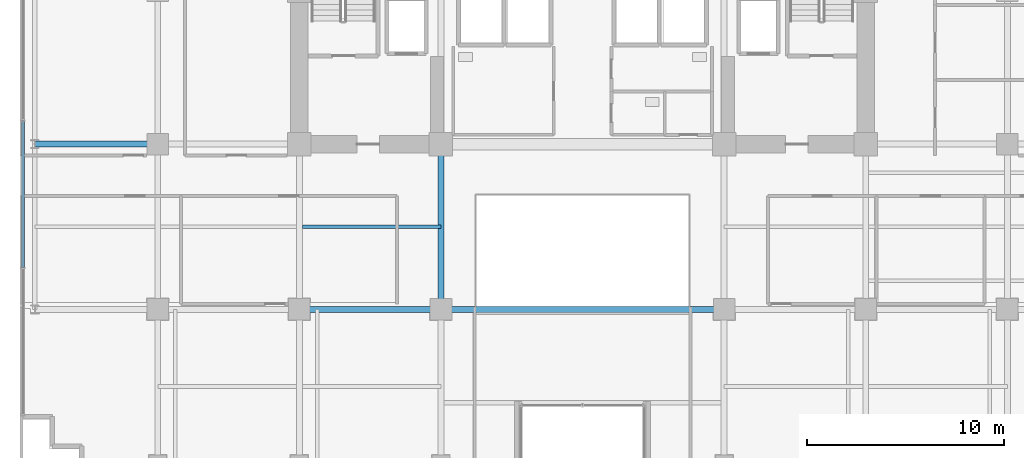
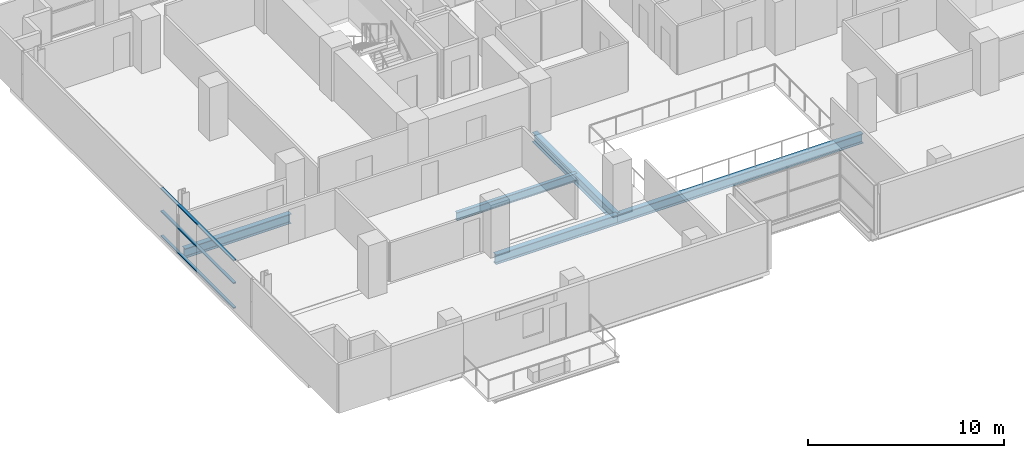
# One storey, part 7 of 27: 5 beams, 3 members, 1 element without a shape of its own.
"""IFC4 building model written with IfcOpenShell, lengths in metres."""

from ifc_helpers import new_model, si_unit, direction, frame, origin, origin_2d, place, context, subcontext, project, spatial, hollow_rectangle, i_section, extrude, source, transform, mapped, material, layer, layer_set, material_profile, profile_set, type_object, element, aggregate, save


model = new_model("IFC4")

# Units and contexts
model_context = context("Model", 3, precision=1e-05, world=origin(), true_north=direction((0.0, 1.0)))
body_context = subcontext(model_context, "Body", "Model", "MODEL_VIEW")
ifc_project = project(units=[si_unit("LENGTHUNIT", "METRE"), si_unit("AREAUNIT", "SQUARE_METRE"), si_unit("VOLUMEUNIT", "CUBIC_METRE"), si_unit("PLANEANGLEUNIT", "RADIAN"), si_unit("MASSUNIT", "GRAM", prefix="KILO")], contexts=[model_context])

# Site, building, storey
site_placement = place(None, origin())
site = spatial("IfcSite", under=ifc_project, at=site_placement, CompositionType="ELEMENT")
building_placement = place(site_placement, origin())
building = spatial("IfcBuilding", under=site, at=building_placement, Name="Zarnakvel Exchange Tower", CompositionType="ELEMENT")
storey_placement = place(building_placement, frame((0.0, 0.0, 76.89990234375)))
storey = spatial("IfcBuildingStorey", under=building, at=storey_placement, Name="L21", CompositionType="ELEMENT", Elevation=76.89990234375)

# Beams
ifc_material_1 = material(Name="Steel S355", Category="steel")
ifc_material_profile_1 = material_profile(ifc_material_1, i_section(OverallWidth=0.199951171875, OverallDepth=0.5, WebThickness=0.01025390625, FlangeThickness=0.01611328125, FilletRadius=0.02099609375, at=origin_2d()))
ifc_profile_set_1 = profile_set([ifc_material_profile_1], Name="Steel S355")
beam_type_1 = type_object("IfcBeamType", Name="B-04", PredefinedType="JOIST", material=ifc_profile_set_1)
beam_1_placement = place(storey_placement, frame((-14.25, -5.39990234375, -0.474853515625), z_axis=(1.0, 0.0, 0.0), x_axis=(0.0, 1.0, 0.0)))
element("IfcBeam", 1, at=beam_1_placement, inside=storey, type_object=beam_type_1, Name="L21 Composite Floor Secondary Joist", PredefinedType="JOIST", context=body_context, shape_type="SweptSolid", body=[
    extrude(i_section(OverallWidth=0.199951171875, OverallDepth=0.5, WebThickness=0.01025390625, FlangeThickness=0.01611328125, FilletRadius=0.02099609375, at=origin_2d()), origin(), (0.0, 0.0, 1.0), 7.050048828125),
])
ifc_material_profile_2 = material_profile(ifc_material_1, i_section(OverallWidth=0.300048828125, OverallDepth=0.60009765625, WebThickness=0.015380859375, FlangeThickness=0.030029296875, FilletRadius=0.027099609375, at=origin_2d()))
ifc_profile_set_2 = profile_set([ifc_material_profile_2], Name="Steel S355")
beam_type_2 = type_object("IfcBeamType", Name="G-04", PredefinedType="BEAM", material=ifc_profile_set_2)
beam_2_placement = place(storey_placement, frame((-14.39990234375, -9.60009765625, -0.52490234375), z_axis=(1.0, 0.0, 0.0), x_axis=(0.0, 1.0, 0.0)))
element("IfcBeam", 2, at=beam_2_placement, inside=storey, type_object=beam_type_2, Name="L21 Tower E-W Frame Beam", PredefinedType="BEAM", context=body_context, shape_type="SweptSolid", body=[
    extrude(i_section(OverallWidth=0.300048828125, OverallDepth=0.60009765625, WebThickness=0.015380859375, FlangeThickness=0.030029296875, FilletRadius=0.027099609375, at=origin_2d()), origin(), (0.0, 0.0, 1.0), 7.199951171875),
])
beam_3_placement = place(storey_placement, frame((-7.199951171875, -9.60009765625, -0.52490234375), z_axis=(1.0, 0.0, 0.0), x_axis=(0.0, 1.0, 0.0)))
element("IfcBeam", 3, at=beam_3_placement, inside=storey, type_object=beam_type_2, Name="L21 Tower E-W Frame Beam", PredefinedType="BEAM", context=body_context, shape_type="SweptSolid", body=[
    extrude(i_section(OverallWidth=0.300048828125, OverallDepth=0.60009765625, WebThickness=0.015380859375, FlangeThickness=0.030029296875, FilletRadius=0.027099609375, at=origin_2d()), origin(), (0.0, 0.0, 1.0), 14.39990234375),
])
beam_4_placement = place(storey_placement, frame((-27.85009765625, -1.199951171875, -0.52490234375), z_axis=(1.0, 0.0, 0.0), x_axis=(0.0, 1.0, 0.0)))
element("IfcBeam", 4, at=beam_4_placement, inside=storey, type_object=beam_type_2, Name="L21 Tower E-W Frame Beam", PredefinedType="BEAM", context=body_context, shape_type="SweptSolid", body=[
    extrude(i_section(OverallWidth=0.300048828125, OverallDepth=0.60009765625, WebThickness=0.015380859375, FlangeThickness=0.030029296875, FilletRadius=0.027099609375, at=origin_2d()), origin(), (0.0, 0.0, 1.0), 6.25),
])
beam_5_placement = place(storey_placement, frame((-7.199951171875, -9.60009765625, -0.52490234375), z_axis=(0.0, 1.0, 0.0), x_axis=(-1.0, 0.0, 0.0)))
element("IfcBeam", 5, at=beam_5_placement, inside=storey, type_object=beam_type_2, Name="L21 Tower N-S Frame Beam", PredefinedType="BEAM", context=body_context, shape_type="SweptSolid", body=[
    extrude(i_section(OverallWidth=0.300048828125, OverallDepth=0.60009765625, WebThickness=0.015380859375, FlangeThickness=0.030029296875, FilletRadius=0.027099609375, at=origin_2d()), origin(), (0.0, 0.0, 1.0), 8.400146484375),
])

# Curtain wall, members
ifc_material_2 = material(Name="Architectural Bronze Anodised Aluminium", Category="aluminium")
ifc_layer = layer(ifc_material_2, 0.199951171875)
ifc_layer_set = layer_set([ifc_layer], Name="Architectural Bronze Anodised Aluminium")
curtain_wall_type = type_object("IfcCurtainWallType", Name="CW-04", PredefinedType="NOTDEFINED", material=ifc_layer_set)
curtain_wall_placement = place(storey_placement, origin())
curtain_wall = element("IfcCurtainWall", 6, at=curtain_wall_placement, inside=storey, type_object=curtain_wall_type, Name="L21 Curtain Wall CW-L21-W1 (CW-04)", PredefinedType="NOTDEFINED")
ifc_material_profile_3 = material_profile(ifc_material_2, hollow_rectangle(XDim=0.159912109375, YDim=0.074951171875, WallThickness=0.00390625, at=origin_2d()))
ifc_profile_set_3 = profile_set([ifc_material_profile_3], Name="Architectural Bronze Anodised Aluminium")
member_type = type_object("IfcMemberType", Name="CWT-04", PredefinedType="USERDEFINED", material=ifc_profile_set_3)
shared_shape = source(origin(), body_context, "Body", "SweptSolid", [
    extrude(hollow_rectangle(XDim=0.159912109375, YDim=0.074951171875, WallThickness=0.00390625, at=origin_2d()), origin(), (0.0, 0.0, 1.0), 7.4248046875),
])
member_1_placement = place(storey_placement, frame((-28.4599609375, -7.46240234375, 0.03759765625), z_axis=(0.0, 1.0, 0.0), x_axis=(-1.0, 0.0, 0.0)))
member_1 = element("IfcMember", 7, at=member_1_placement, type_object=member_type, Name="CW-04 transom 2.1", ObjectType="TRANSOM", PredefinedType="USERDEFINED", context=body_context, shape_type="MappedRepresentation", body=[
    mapped(shared_shape, transform((0.0, 0.0, 0.0), x_axis=(1.0, 0.0, 0.0), y_axis=(0.0, 1.0, 0.0), z_axis=(0.0, 0.0, 1.0), scale=1.0)),
])
member_2_placement = place(storey_placement, frame((-28.4599609375, -7.46240234375, 1.57568359375), z_axis=(0.0, 1.0, 0.0), x_axis=(-1.0, 0.0, 0.0)))
member_2 = element("IfcMember", 8, at=member_2_placement, type_object=member_type, Name="CW-04 transom 2.2", ObjectType="TRANSOM", PredefinedType="USERDEFINED", context=body_context, shape_type="MappedRepresentation", body=[
    mapped(shared_shape, transform((0.0, 0.0, 0.0), x_axis=(1.0, 0.0, 0.0), y_axis=(0.0, 1.0, 0.0), z_axis=(0.0, 0.0, 1.0), scale=1.0)),
])
member_3_placement = place(storey_placement, frame((-28.4599609375, -7.46240234375, 2.99267578125), z_axis=(0.0, 1.0, 0.0), x_axis=(-1.0, 0.0, 0.0)))
member_3 = element("IfcMember", 9, at=member_3_placement, type_object=member_type, Name="CW-04 transom 2.3", ObjectType="TRANSOM", PredefinedType="USERDEFINED", context=body_context, shape_type="MappedRepresentation", body=[
    mapped(shared_shape, transform((0.0, 0.0, 0.0), x_axis=(1.0, 0.0, 0.0), y_axis=(0.0, 1.0, 0.0), z_axis=(0.0, 0.0, 1.0), scale=1.0)),
])
aggregate(curtain_wall, [member_1, member_2, member_3])

save(model, "model.ifc")
